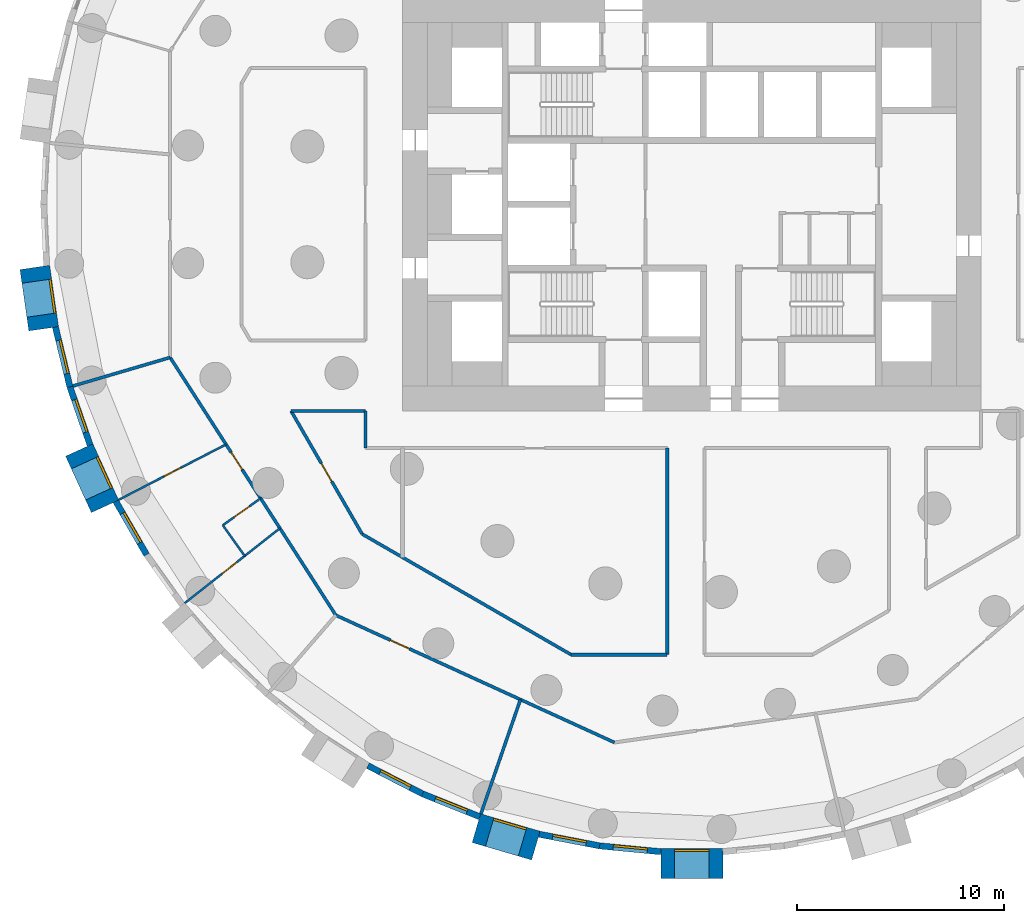
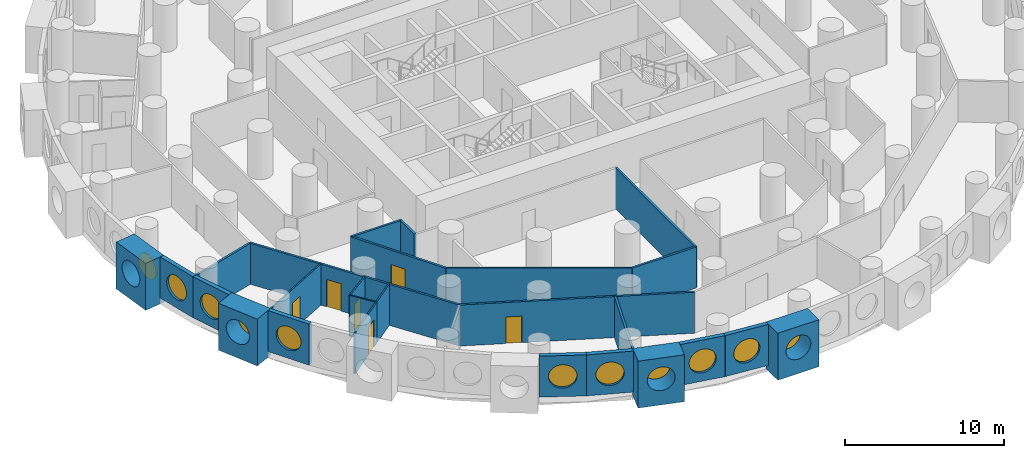
# One storey, part 3 of 12: 26 walls, 11 windows, 6 doors, 17 openings.
"""IFC4 building model written with IfcOpenShell, lengths in metres."""

from ifc_helpers import new_model, si_unit, direction, frame, frame_2d, origin, origin_2d, place, context, subcontext, project, spatial, rectangle, circle, extrude, material, layer, layer_set, type_object, element, fill, save


model = new_model("IFC4")

# Units and contexts
model_context = context("Model", 3, precision=1e-05, world=origin(), true_north=direction((0.0, 1.0)))
body_context = subcontext(model_context, "Body", "Model", "MODEL_VIEW")
ifc_project = project(units=[si_unit("LENGTHUNIT", "METRE"), si_unit("AREAUNIT", "SQUARE_METRE"), si_unit("VOLUMEUNIT", "CUBIC_METRE"), si_unit("PLANEANGLEUNIT", "RADIAN"), si_unit("MASSUNIT", "GRAM", prefix="KILO")], contexts=[model_context])

# Site, building, storey
site_placement = place(None, origin())
site = spatial("IfcSite", under=ifc_project, at=site_placement, CompositionType="ELEMENT")
building_placement = place(site_placement, origin())
building = spatial("IfcBuilding", under=site, at=building_placement, Name="Tracery Tower", CompositionType="ELEMENT")
storey_placement = place(building_placement, frame((0.0, 0.0, 49.800048828125)))
storey = spatial("IfcBuildingStorey", under=building, at=storey_placement, Name="L11", CompositionType="ELEMENT", Elevation=49.800048828125)

# Wall, opening, window
ifc_material_1 = material(Name="Precast concrete C50/60", Category="concrete")
ifc_layer_1 = layer(ifc_material_1, 1.449951171875)
ifc_layer_set_1 = layer_set([ifc_layer_1], Name="Deep-set bay unit 3000 x 3600, slab edge 450")
wall_type_1 = type_object("IfcWallType", Name="Deep-set bay unit 3000 x 3600, slab edge 450", PredefinedType="ELEMENTEDWALL", material=ifc_layer_set_1)
wall_1_placement = place(storey_placement, frame((-31.802490234375, -3.05712890625, -0.449951171875), z_axis=(0.0, 0.0, 1.0), x_axis=(0.142332746704, -0.989818866872, 0.0)))
wall_1 = element("IfcWall", 1, at=wall_1_placement, inside=storey, type_object=wall_type_1, Name="Deep-set bay unit 35 at L11", PredefinedType="ELEMENTEDWALL", context=body_context, shape_type="SweptSolid", body=[
    extrude(rectangle(XDim=3.0, YDim=1.449951171875, at=frame_2d((1.5, 0.0))), origin(), (0.0, 0.0, 1.0), 3.599853515625),
])
opening_1_placement = place(wall_1_placement, frame((1.5, 0.0, 2.0)))
opening_1 = element("IfcOpeningElement", 2, at=opening_1_placement, cuts=wall_1, Name="Opening WN1", PredefinedType="OPENING", context=body_context, shape_type="SweptSolid", body=[
    extrude(circle(Radius=0.9000244140625, at=origin_2d()), frame((0.0, 0.73486328125, 0.0), z_axis=(0.0, -1.0, 0.0), x_axis=(1.0, 0.0, 0.0)), (0.0, 0.0, 1.0), 1.469970703125),
])
ifc_material_2 = material(Name="Aluminium frame with tinted double glazing", Category="aluminium")
window_type = type_object("IfcWindowType", Name="Round window 1800", PartitioningType="SINGLE_PANEL", PredefinedType="WINDOW", material=ifc_material_2)
window_1_placement = place(opening_1_placement, origin())
window_1 = element("IfcWindow", 3, at=window_1_placement, inside=storey, type_object=window_type, Name="Round window 35 at L11", OverallHeight=1.800048828125, OverallWidth=1.800048828125, PartitioningType="SINGLE_PANEL", PredefinedType="WINDOW", context=body_context, shape_type="SweptSolid", body=[
    extrude(circle(Radius=0.9000244140625, at=origin_2d()), frame((0.0, 0.69482421875, 0.0), z_axis=(0.0, -1.0, 0.0), x_axis=(1.0, 0.0, 0.0)), (0.0, 0.0, 1.0), 0.10009765625),
])
fill(opening_1, window_1)

wall_2_placement = place(storey_placement, frame((-29.653076171875, -11.89306640625, -0.449951171875), z_axis=(0.0, 0.0, 1.0), x_axis=(0.415427028395, -0.909626508012, 0.0)))
wall_2 = element("IfcWall", 4, at=wall_2_placement, inside=storey, type_object=wall_type_1, Name="Deep-set bay unit 38 at L11", PredefinedType="ELEMENTEDWALL", context=body_context, shape_type="SweptSolid", body=[
    extrude(rectangle(XDim=3.000244140625, YDim=1.449951171875, at=frame_2d((1.5, 0.0))), origin(), (0.0, 0.0, 1.0), 3.599853515625),
])
opening_2_placement = place(wall_2_placement, frame((1.5, 0.0, 2.0)))
opening_2 = element("IfcOpeningElement", 5, at=opening_2_placement, cuts=wall_2, Name="Opening WN1", PredefinedType="OPENING", context=body_context, shape_type="SweptSolid", body=[
    extrude(circle(Radius=0.9000244140625, at=origin_2d()), frame((0.0, 0.73486328125, 0.0), z_axis=(0.0, -1.0, 0.0), x_axis=(1.0, 0.0, 0.0)), (0.0, 0.0, 1.0), 1.469970703125),
])
window_2_placement = place(opening_2_placement, origin())
window_2 = element("IfcWindow", 6, at=window_2_placement, inside=storey, type_object=window_type, Name="Round window 38 at L11", OverallHeight=1.800048828125, OverallWidth=1.800048828125, PartitioningType="SINGLE_PANEL", PredefinedType="WINDOW", context=body_context, shape_type="SweptSolid", body=[
    extrude(circle(Radius=0.9000244140625, at=origin_2d()), frame((0.0, 0.69482421875, 0.0), z_axis=(0.0, -1.0, 0.0), x_axis=(1.0, 0.0, 0.0)), (0.0, 0.0, 1.0), 0.10009765625),
])
fill(opening_2, window_2)

wall_3_placement = place(storey_placement, frame((-10.430419921875, -30.198486328125, -0.449951171875), z_axis=(0.0, 0.0, 1.0), x_axis=(0.959489813418, -0.281743319258, 0.0)))
wall_3 = element("IfcWall", 7, at=wall_3_placement, inside=storey, type_object=wall_type_1, Name="Deep-set bay unit 47 at L11", PredefinedType="ELEMENTEDWALL", context=body_context, shape_type="SweptSolid", body=[
    extrude(rectangle(XDim=3.0, YDim=1.449951171875, at=frame_2d((1.5, 0.0))), origin(), (0.0, 0.0, 1.0), 3.599853515625),
])
opening_3_placement = place(wall_3_placement, frame((1.5, 0.0, 2.0)))
opening_3 = element("IfcOpeningElement", 8, at=opening_3_placement, cuts=wall_3, Name="Opening WN1", PredefinedType="OPENING", context=body_context, shape_type="SweptSolid", body=[
    extrude(circle(Radius=0.9000244140625, at=origin_2d()), frame((0.0, 0.73486328125, 0.0), z_axis=(0.0, -1.0, 0.0), x_axis=(1.0, 0.0, 0.0)), (0.0, 0.0, 1.0), 1.469970703125),
])
window_3_placement = place(opening_3_placement, origin())
window_3 = element("IfcWindow", 9, at=window_3_placement, inside=storey, type_object=window_type, Name="Round window 47 at L11", OverallHeight=1.800048828125, OverallWidth=1.800048828125, PartitioningType="SINGLE_PANEL", PredefinedType="WINDOW", context=body_context, shape_type="SweptSolid", body=[
    extrude(circle(Radius=0.9000244140625, at=origin_2d()), frame((0.0, 0.69482421875, 0.0), z_axis=(0.0, -1.0, 0.0), x_axis=(1.0, 0.0, 0.0)), (0.0, 0.0, 1.0), 0.10009765625),
])
fill(opening_3, window_3)

wall_4_placement = place(storey_placement, frame((-1.5, -31.913818359375, -0.449951171875), z_axis=(0.0, 0.0, 1.0), x_axis=(1.0, 0.0, 0.0)))
wall_4 = element("IfcWall", 10, at=wall_4_placement, inside=storey, type_object=wall_type_1, Name="Deep-set bay unit 50 at L11", PredefinedType="ELEMENTEDWALL", context=body_context, shape_type="SweptSolid", body=[
    extrude(rectangle(XDim=3.0, YDim=1.449951171875, at=frame_2d((1.5, 0.0))), origin(), (0.0, 0.0, 1.0), 3.599853515625),
])
opening_4_placement = place(wall_4_placement, frame((1.5, 0.0, 2.0)))
opening_4 = element("IfcOpeningElement", 11, at=opening_4_placement, cuts=wall_4, Name="Opening WN1", PredefinedType="OPENING", context=body_context, shape_type="SweptSolid", body=[
    extrude(circle(Radius=0.9000244140625, at=origin_2d()), frame((0.0, 0.73486328125, 0.0), z_axis=(0.0, -1.0, 0.0), x_axis=(1.0, 0.0, 0.0)), (0.0, 0.0, 1.0), 1.469970703125),
])
window_4_placement = place(opening_4_placement, origin())
window_4 = element("IfcWindow", 12, at=window_4_placement, inside=storey, type_object=window_type, Name="Round window 50 at L11", OverallHeight=1.800048828125, OverallWidth=1.800048828125, PartitioningType="SINGLE_PANEL", PredefinedType="WINDOW", context=body_context, shape_type="SweptSolid", body=[
    extrude(circle(Radius=0.9000244140625, at=origin_2d()), frame((0.0, 0.69482421875, 0.0), z_axis=(0.0, -1.0, 0.0), x_axis=(1.0, 0.0, 0.0)), (0.0, 0.0, 1.0), 0.10009765625),
])
fill(opening_4, window_4)

ifc_material_3 = material(Name="Precast concrete C50/60", Category="concrete")
ifc_layer_2 = layer(ifc_material_3, 0.300048828125)
ifc_layer_set_2 = layer_set([ifc_layer_2], Name="Facade panel 3000 x 3150")
wall_type_2 = type_object("IfcWallType", Name="Facade panel 3000 x 3150", PredefinedType="SOLIDWALL", material=ifc_layer_set_2)
wall_5_placement = place(storey_placement, frame((-30.805908203125, -5.943603515625, 0.0), z_axis=(0.0, 0.0, 1.0), x_axis=(0.235743081534, -0.971815414319, 0.0)))
wall_5 = element("IfcWall", 13, at=wall_5_placement, inside=storey, type_object=wall_type_2, Name="Facade panel 36 at L11", PredefinedType="SOLIDWALL", context=body_context, shape_type="SweptSolid", body=[
    extrude(rectangle(XDim=2.9794921875, YDim=0.300048828125, at=frame_2d((1.48974609375, 0.0))), origin(), (0.0, 0.0, 1.0), 3.14990234375),
])
opening_5_placement = place(wall_5_placement, frame((1.48974609375, 0.0, 1.5498046875)))
opening_5 = element("IfcOpeningElement", 14, at=opening_5_placement, cuts=wall_5, Name="Opening WN1", PredefinedType="OPENING", context=body_context, shape_type="SweptSolid", body=[
    extrude(circle(Radius=0.9000244140625, at=origin_2d()), frame((0.0, 0.159912109375, 0.0), z_axis=(0.0, -1.0, 0.0), x_axis=(1.0, 0.0, 0.0)), (0.0, 0.0, 1.0), 0.320068359375),
])
window_5_placement = place(opening_5_placement, origin())
window_5 = element("IfcWindow", 15, at=window_5_placement, inside=storey, type_object=window_type, Name="Round window 36 at L11", OverallHeight=1.800048828125, OverallWidth=1.800048828125, PartitioningType="SINGLE_PANEL", PredefinedType="WINDOW", context=body_context, shape_type="SweptSolid", body=[
    extrude(circle(Radius=0.9000244140625, at=origin_2d()), frame((0.0, 0.1201171875, 0.0), z_axis=(0.0, -1.0, 0.0), x_axis=(1.0, 0.0, 0.0)), (0.0, 0.0, 1.0), 0.10009765625),
])
fill(opening_5, window_5)

wall_6_placement = place(storey_placement, frame((-30.103515625, -8.839111328125, 0.0), z_axis=(0.0, 0.0, 1.0), x_axis=(0.327071167136, -0.944999709856, 0.0)))
wall_6 = element("IfcWall", 16, at=wall_6_placement, inside=storey, type_object=wall_type_2, Name="Facade panel 37 at L11", PredefinedType="SOLIDWALL", context=body_context, shape_type="SweptSolid", body=[
    extrude(rectangle(XDim=2.979736328125, YDim=0.300048828125, at=frame_2d((1.48974609375, 0.0))), origin(), (0.0, 0.0, 1.0), 3.14990234375),
])
opening_6_placement = place(wall_6_placement, frame((1.48974609375, 0.0, 1.5498046875)))
opening_6 = element("IfcOpeningElement", 17, at=opening_6_placement, cuts=wall_6, Name="Opening WN1", PredefinedType="OPENING", context=body_context, shape_type="SweptSolid", body=[
    extrude(circle(Radius=0.9000244140625, at=origin_2d()), frame((0.0, 0.159912109375, 0.0), z_axis=(0.0, -1.0, 0.0), x_axis=(1.0, 0.0, 0.0)), (0.0, 0.0, 1.0), 0.320068359375),
])
window_6_placement = place(opening_6_placement, origin())
window_6 = element("IfcWindow", 18, at=window_6_placement, inside=storey, type_object=window_type, Name="Round window 37 at L11", OverallHeight=1.800048828125, OverallWidth=1.800048828125, PartitioningType="SINGLE_PANEL", PredefinedType="WINDOW", context=body_context, shape_type="SweptSolid", body=[
    extrude(circle(Radius=0.9000244140625, at=origin_2d()), frame((0.0, 0.1201171875, 0.0), z_axis=(0.0, -1.0, 0.0), x_axis=(1.0, 0.0, 0.0)), (0.0, 0.0, 1.0), 0.10009765625),
])
fill(opening_6, window_6)

wall_7_placement = place(storey_placement, frame((-27.8837890625, -14.3818359375, 0.0), z_axis=(0.0, 0.0, 1.0), x_axis=(0.500025049464, -0.866010940986, 0.0)))
wall_7 = element("IfcWall", 19, at=wall_7_placement, inside=storey, type_object=wall_type_2, Name="Facade panel 39 at L11", PredefinedType="SOLIDWALL", context=body_context, shape_type="SweptSolid", body=[
    extrude(rectangle(XDim=2.979736328125, YDim=0.300048828125, at=frame_2d((1.48974609375, 0.0))), origin(), (0.0, 0.0, 1.0), 3.14990234375),
])
opening_7_placement = place(wall_7_placement, frame((1.48974609375, 0.0, 1.5498046875)))
opening_7 = element("IfcOpeningElement", 20, at=opening_7_placement, cuts=wall_7, Name="Opening WN1", PredefinedType="OPENING", context=body_context, shape_type="SweptSolid", body=[
    extrude(circle(Radius=0.9000244140625, at=origin_2d()), frame((0.0, 0.159912109375, 0.0), z_axis=(0.0, -1.0, 0.0), x_axis=(1.0, 0.0, 0.0)), (0.0, 0.0, 1.0), 0.320068359375),
])
window_7_placement = place(opening_7_placement, origin())
window_7 = element("IfcWindow", 21, at=window_7_placement, inside=storey, type_object=window_type, Name="Round window 39 at L11", OverallHeight=1.800048828125, OverallWidth=1.800048828125, PartitioningType="SINGLE_PANEL", PredefinedType="WINDOW", context=body_context, shape_type="SweptSolid", body=[
    extrude(circle(Radius=0.9000244140625, at=origin_2d()), frame((0.0, 0.1201171875, 0.0), z_axis=(0.0, -1.0, 0.0), x_axis=(1.0, 0.0, 0.0)), (0.0, 0.0, 1.0), 0.10009765625),
])
fill(opening_7, window_7)

wall_8_placement = place(storey_placement, frame((-15.681884765625, -27.173828125, 0.0), z_axis=(0.0, 0.0, 1.0), x_axis=(0.888819853856, -0.458256770153, 0.0)))
wall_8 = element("IfcWall", 22, at=wall_8_placement, inside=storey, type_object=wall_type_2, Name="Facade panel 45 at L11", PredefinedType="SOLIDWALL", context=body_context, shape_type="SweptSolid", body=[
    extrude(rectangle(XDim=2.979736328125, YDim=0.300048828125, at=frame_2d((1.48974609375, 0.0))), origin(), (0.0, 0.0, 1.0), 3.14990234375),
])
opening_8_placement = place(wall_8_placement, frame((1.48974609375, 0.0, 1.5498046875)))
opening_8 = element("IfcOpeningElement", 23, at=opening_8_placement, cuts=wall_8, Name="Opening WN1", PredefinedType="OPENING", context=body_context, shape_type="SweptSolid", body=[
    extrude(circle(Radius=0.9000244140625, at=origin_2d()), frame((0.0, 0.159912109375, 0.0), z_axis=(0.0, -1.0, 0.0), x_axis=(1.0, 0.0, 0.0)), (0.0, 0.0, 1.0), 0.320068359375),
])
window_8_placement = place(opening_8_placement, origin())
window_8 = element("IfcWindow", 24, at=window_8_placement, inside=storey, type_object=window_type, Name="Round window 45 at L11", OverallHeight=1.800048828125, OverallWidth=1.800048828125, PartitioningType="SINGLE_PANEL", PredefinedType="WINDOW", context=body_context, shape_type="SweptSolid", body=[
    extrude(circle(Radius=0.9000244140625, at=origin_2d()), frame((0.0, 0.1201171875, 0.0), z_axis=(0.0, -1.0, 0.0), x_axis=(1.0, 0.0, 0.0)), (0.0, 0.0, 1.0), 0.10009765625),
])
fill(opening_8, window_8)

wall_9_placement = place(storey_placement, frame((-13.033447265625, -28.539306640625, 0.0), z_axis=(0.0, 0.0, 1.0), x_axis=(0.928403213937, -0.371574316054, 0.0)))
wall_9 = element("IfcWall", 25, at=wall_9_placement, inside=storey, type_object=wall_type_2, Name="Facade panel 46 at L11", PredefinedType="SOLIDWALL", context=body_context, shape_type="SweptSolid", body=[
    extrude(rectangle(XDim=2.979736328125, YDim=0.300048828125, at=frame_2d((1.48974609375, 0.0))), origin(), (0.0, 0.0, 1.0), 3.14990234375),
])
opening_9_placement = place(wall_9_placement, frame((1.48974609375, 0.0, 1.5498046875)))
opening_9 = element("IfcOpeningElement", 26, at=opening_9_placement, cuts=wall_9, Name="Opening WN1", PredefinedType="OPENING", context=body_context, shape_type="SweptSolid", body=[
    extrude(circle(Radius=0.9000244140625, at=origin_2d()), frame((0.0, 0.159912109375, 0.0), z_axis=(0.0, -1.0, 0.0), x_axis=(1.0, 0.0, 0.0)), (0.0, 0.0, 1.0), 0.320068359375),
])
window_9_placement = place(opening_9_placement, origin())
window_9 = element("IfcWindow", 27, at=window_9_placement, inside=storey, type_object=window_type, Name="Round window 46 at L11", OverallHeight=1.800048828125, OverallWidth=1.800048828125, PartitioningType="SINGLE_PANEL", PredefinedType="WINDOW", context=body_context, shape_type="SweptSolid", body=[
    extrude(circle(Radius=0.9000244140625, at=origin_2d()), frame((0.0, 0.1201171875, 0.0), z_axis=(0.0, -1.0, 0.0), x_axis=(1.0, 0.0, 0.0)), (0.0, 0.0, 1.0), 0.10009765625),
])
fill(opening_9, window_9)

wall_10_placement = place(storey_placement, frame((-7.390869140625, -30.4912109375, 0.0), z_axis=(0.0, 0.0, 1.0), x_axis=(0.981924535406, -0.189272836848, 0.0)))
wall_10 = element("IfcWall", 28, at=wall_10_placement, inside=storey, type_object=wall_type_2, Name="Facade panel 48 at L11", PredefinedType="SOLIDWALL", context=body_context, shape_type="SweptSolid", body=[
    extrude(rectangle(XDim=2.979736328125, YDim=0.300048828125, at=frame_2d((1.48974609375, 0.0))), origin(), (0.0, 0.0, 1.0), 3.14990234375),
])
opening_10_placement = place(wall_10_placement, frame((1.48974609375, 0.0, 1.5498046875)))
opening_10 = element("IfcOpeningElement", 29, at=opening_10_placement, cuts=wall_10, Name="Opening WN1", PredefinedType="OPENING", context=body_context, shape_type="SweptSolid", body=[
    extrude(circle(Radius=0.9000244140625, at=origin_2d()), frame((0.0, 0.159912109375, 0.0), z_axis=(0.0, -1.0, 0.0), x_axis=(1.0, 0.0, 0.0)), (0.0, 0.0, 1.0), 0.320068359375),
])
window_10_placement = place(opening_10_placement, origin())
window_10 = element("IfcWindow", 30, at=window_10_placement, inside=storey, type_object=window_type, Name="Round window 48 at L11", OverallHeight=1.800048828125, OverallWidth=1.800048828125, PartitioningType="SINGLE_PANEL", PredefinedType="WINDOW", context=body_context, shape_type="SweptSolid", body=[
    extrude(circle(Radius=0.9000244140625, at=origin_2d()), frame((0.0, 0.1201171875, 0.0), z_axis=(0.0, -1.0, 0.0), x_axis=(1.0, 0.0, 0.0)), (0.0, 0.0, 1.0), 0.10009765625),
])
fill(opening_10, window_10)

wall_11_placement = place(storey_placement, frame((-4.465087890625, -31.05517578125, 0.0), z_axis=(0.0, 0.0, 1.0), x_axis=(0.995473351551, -0.095041077185, 0.0)))
wall_11 = element("IfcWall", 31, at=wall_11_placement, inside=storey, type_object=wall_type_2, Name="Facade panel 49 at L11", PredefinedType="SOLIDWALL", context=body_context, shape_type="SweptSolid", body=[
    extrude(rectangle(XDim=2.979736328125, YDim=0.300048828125, at=frame_2d((1.48974609375, 0.0))), origin(), (0.0, 0.0, 1.0), 3.14990234375),
])
opening_11_placement = place(wall_11_placement, frame((1.48974609375, 0.0, 1.5498046875)))
opening_11 = element("IfcOpeningElement", 32, at=opening_11_placement, cuts=wall_11, Name="Opening WN1", PredefinedType="OPENING", context=body_context, shape_type="SweptSolid", body=[
    extrude(circle(Radius=0.9000244140625, at=origin_2d()), frame((0.0, 0.159912109375, 0.0), z_axis=(0.0, -1.0, 0.0), x_axis=(1.0, 0.0, 0.0)), (0.0, 0.0, 1.0), 0.320068359375),
])
window_11_placement = place(opening_11_placement, origin())
window_11 = element("IfcWindow", 33, at=window_11_placement, inside=storey, type_object=window_type, Name="Round window 49 at L11", OverallHeight=1.800048828125, OverallWidth=1.800048828125, PartitioningType="SINGLE_PANEL", PredefinedType="WINDOW", context=body_context, shape_type="SweptSolid", body=[
    extrude(circle(Radius=0.9000244140625, at=origin_2d()), frame((0.0, 0.1201171875, 0.0), z_axis=(0.0, -1.0, 0.0), x_axis=(1.0, 0.0, 0.0)), (0.0, 0.0, 1.0), 0.10009765625),
])
fill(opening_11, window_11)

# Wall, opening, door
ifc_material_4 = material(Name="Plasterboard on steel studs", Category="steel")
ifc_layer_3 = layer(ifc_material_4, 0.10009765625)
ifc_layer_set_3 = layer_set([ifc_layer_3], Name="Partition 100 stud")
wall_type_3 = type_object("IfcWallType", Name="Partition 100 stud", PredefinedType="PARTITIONING", material=ifc_layer_set_3)
wall_12_placement = place(storey_placement, frame((-27.7529296875, -14.30810546875, 0.0), z_axis=(0.0, 0.0, 1.0), x_axis=(0.88877955153, 0.45833493079, 0.0)))
wall_12 = element("IfcWall", 34, at=wall_12_placement, inside=storey, type_object=wall_type_3, Name="Stud partition RA3-094", PredefinedType="PARTITIONING", context=body_context, shape_type="SweptSolid", body=[
    extrude(rectangle(XDim=5.856201171875, YDim=0.10009765625, at=frame_2d((2.92822265625, 0.0))), origin(), (0.0, 0.0, 1.0), 3.14990234375),
])
opening_12_placement = place(wall_12_placement, frame((2.47802734375, 0.0, 0.0)))
opening_12 = element("IfcOpeningElement", 35, at=opening_12_placement, cuts=wall_12, Name="Opening RA3-34", PredefinedType="OPENING", context=body_context, shape_type="SweptSolid", body=[
    extrude(rectangle(XDim=0.89990234375, YDim=2.10009765625, at=frame_2d((0.449951171875, 1.050048828125))), frame((0.0, 0.050048828125, 0.0), z_axis=(0.0, -1.0, 0.0), x_axis=(1.0, 0.0, 0.0)), (0.0, 0.0, 1.0), 0.10009765625),
])
ifc_material_5 = material(Name="Timber door leaf", Category="wood")
door_type_1 = type_object("IfcDoorType", Name="Door bedroom 900", OperationType="NOTDEFINED", PredefinedType="DOOR", material=ifc_material_5)
door_1_placement = place(opening_12_placement, origin())
door_1 = element("IfcDoor", 36, at=door_1_placement, inside=storey, type_object=door_type_1, Name="Bedroom door RA3-34", OperationType="SINGLE_SWING_LEFT", OverallHeight=2.10009765625, OverallWidth=0.89990234375, PredefinedType="DOOR", context=body_context, shape_type="SweptSolid", body=[
    extrude(rectangle(XDim=0.89990234375, YDim=2.10009765625, at=frame_2d((0.449951171875, 1.050048828125))), frame((0.0, 0.02490234375, 0.0), z_axis=(0.0, -1.0, 0.0), x_axis=(1.0, 0.0, 0.0)), (0.0, 0.0, 1.0), 0.050048828125),
])
fill(opening_12, door_1)

wall_13_placement = place(storey_placement, frame((-24.5439453125, -19.302001953125, 0.0), z_axis=(0.0, 0.0, 1.0), x_axis=(0.785987576403, 0.618242290481, 0.0)))
wall_13 = element("IfcWall", 37, at=wall_13_placement, inside=storey, type_object=wall_type_3, Name="Stud partition RA3-095", PredefinedType="PARTITIONING", context=body_context, shape_type="SweptSolid", body=[
    extrude(rectangle(XDim=3.689453125, YDim=0.10009765625, at=frame_2d((1.8447265625, 0.0))), origin(), (0.0, 0.0, 1.0), 3.14990234375),
])
opening_13_placement = place(wall_13_placement, frame((2.294677734375, 0.0, 0.0)))
opening_13 = element("IfcOpeningElement", 38, at=opening_13_placement, cuts=wall_13, Name="Opening RA3-35", PredefinedType="OPENING", context=body_context, shape_type="SweptSolid", body=[
    extrude(rectangle(XDim=0.89990234375, YDim=2.10009765625, at=frame_2d((0.449951171875, 1.050048828125))), frame((0.0, 0.050048828125, 0.0), z_axis=(0.0, -1.0, 0.0), x_axis=(1.0, 0.0, 0.0)), (0.0, 0.0, 1.0), 0.10009765625),
])
door_2_placement = place(opening_13_placement, origin())
door_2 = element("IfcDoor", 39, at=door_2_placement, inside=storey, type_object=door_type_1, Name="Bedroom door RA3-35", OperationType="SINGLE_SWING_LEFT", OverallHeight=2.10009765625, OverallWidth=0.89990234375, PredefinedType="DOOR", context=body_context, shape_type="SweptSolid", body=[
    extrude(rectangle(XDim=0.89990234375, YDim=2.10009765625, at=frame_2d((0.449951171875, 1.050048828125))), frame((0.0, 0.02490234375, 0.0), z_axis=(0.0, -1.0, 0.0), x_axis=(1.0, 0.0, 0.0)), (0.0, 0.0, 1.0), 0.050048828125),
])
fill(opening_13, door_2)

ifc_material_6 = material(Name="Plasterboard on steel studs", Category="steel")
ifc_layer_4 = layer(ifc_material_6, 0.10009765625)
ifc_layer_set_4 = layer_set([ifc_layer_4], Name="Partition 100 wet wall")
wall_type_4 = type_object("IfcWallType", Name="Partition 100 wet wall", PredefinedType="PARTITIONING", material=ifc_layer_set_4)
wall_14_placement = place(storey_placement, frame((-22.702880859375, -15.534912109375, 0.0), z_axis=(0.0, 0.0, 1.0), x_axis=(0.814525331415, 0.580127989743, 0.0)))
wall_14 = element("IfcWall", 40, at=wall_14_placement, inside=storey, type_object=wall_type_4, Name="Wet wall RA3-096", PredefinedType="PARTITIONING", context=body_context, shape_type="SweptSolid", body=[
    extrude(rectangle(XDim=2.247802734375, YDim=0.10009765625, at=frame_2d((1.1240234375, 0.0))), origin(), (0.0, 0.0, 1.0), 3.14990234375),
])
opening_14_placement = place(wall_14_placement, frame((0.673828125, 0.0, 0.0)))
opening_14 = element("IfcOpeningElement", 41, at=opening_14_placement, cuts=wall_14, Name="Opening RA3-36", PredefinedType="OPENING", context=body_context, shape_type="SweptSolid", body=[
    extrude(rectangle(XDim=0.89990234375, YDim=2.0, at=frame_2d((0.449951171875, 1.0))), frame((0.0, 0.050048828125, 0.0), z_axis=(0.0, -1.0, 0.0), x_axis=(1.0, 0.0, 0.0)), (0.0, 0.0, 1.0), 0.10009765625),
])
ifc_material_7 = material(Name="Timber door leaf", Category="wood")
door_type_2 = type_object("IfcDoorType", Name="Door shower room 900", OperationType="NOTDEFINED", PredefinedType="DOOR", material=ifc_material_7)
door_3_placement = place(opening_14_placement, origin())
door_3 = element("IfcDoor", 42, at=door_3_placement, inside=storey, type_object=door_type_2, Name="Shower room door RA3-36", OperationType="SINGLE_SWING_RIGHT", OverallHeight=2.0, OverallWidth=0.89990234375, PredefinedType="DOOR", context=body_context, shape_type="SweptSolid", body=[
    extrude(rectangle(XDim=0.89990234375, YDim=2.0, at=frame_2d((0.449951171875, 1.0))), frame((0.0, 0.02490234375, 0.0), z_axis=(0.0, -1.0, 0.0), x_axis=(1.0, 0.0, 0.0)), (0.0, 0.0, 1.0), 0.050048828125),
])
fill(opening_14, door_3)

# Walls
wall_15_placement = place(storey_placement, frame((-22.702880859375, -15.534912109375, 0.0), z_axis=(0.0, 0.0, 1.0), x_axis=(0.580275898497, -0.814419966371, 0.0)))
element("IfcWall", 43, at=wall_15_placement, inside=storey, type_object=wall_type_4, Name="Wet wall RA3-097", PredefinedType="PARTITIONING", context=body_context, shape_type="SweptSolid", body=[
    extrude(rectangle(XDim=1.82470703125, YDim=0.10009765625, at=frame_2d((0.912353515625, 0.0))), origin(), (0.0, 0.0, 1.0), 3.14990234375),
])
wall_16_placement = place(storey_placement, frame((-21.64697265625, -17.02294921875, 0.0), z_axis=(0.0, 0.0, 1.0), x_axis=(0.786138836794, 0.618049940769, 0.0)))
element("IfcWall", 44, at=wall_16_placement, inside=storey, type_object=wall_type_4, Name="Wet wall RA3-098", PredefinedType="PARTITIONING", context=body_context, shape_type="SweptSolid", body=[
    extrude(rectangle(XDim=2.17138671875, YDim=0.10009765625, at=frame_2d((1.085693359375, 0.0))), origin(), (0.0, 0.0, 1.0), 3.14990234375),
])
ifc_material_8 = material(Name="Plasterboard on steel studs", Category="steel")
ifc_layer_5 = layer(ifc_material_8, 0.14990234375)
ifc_layer_set_5 = layer_set([ifc_layer_5], Name="Partition 150 acoustic unit wall")
wall_type_5 = type_object("IfcWallType", Name="Partition 150 acoustic unit wall", PredefinedType="PARTITIONING", material=ifc_layer_set_5)
wall_17_placement = place(storey_placement, frame((-29.958984375, -8.797119140625, 0.0), z_axis=(0.0, 0.0, 1.0), x_axis=(0.959478767209, 0.281780934902, 0.0)))
element("IfcWall", 45, at=wall_17_placement, inside=storey, type_object=wall_type_5, Name="Unit wall RA3-093", PredefinedType="PARTITIONING", context=body_context, shape_type="SweptSolid", body=[
    extrude(rectangle(XDim=4.90478515625, YDim=0.14990234375, at=frame_2d((2.452392578125, 0.0))), origin(), (0.0, 0.0, 1.0), 3.14990234375),
])
wall_18_placement = place(storey_placement, frame((-10.2119140625, -29.507080078125, 0.0), z_axis=(0.0, 0.0, 1.0), x_axis=(0.32692444056, 0.94505048022, 0.0)))
element("IfcWall", 46, at=wall_18_placement, inside=storey, type_object=wall_type_5, Name="Unit wall RA3-100", PredefinedType="PARTITIONING", context=body_context, shape_type="SweptSolid", body=[
    extrude(rectangle(XDim=5.85693359375, YDim=0.14990234375, at=frame_2d((2.928466796875, 0.0))), origin(), (0.0, 0.0, 1.0), 3.14990234375),
])
ifc_material_9 = material(Name="Plasterboard on steel studs", Category="steel")
ifc_layer_6 = layer(ifc_material_9, 0.14990234375)
ifc_layer_set_6 = layer_set([ifc_layer_6], Name="Partition 150 corridor wall")
wall_type_6 = type_object("IfcWallType", Name="Partition 150 corridor wall", PredefinedType="PARTITIONING", material=ifc_layer_set_6)
wall_19_placement = place(storey_placement, frame((-15.800048828125, -11.800048828125, 0.0), z_axis=(0.0, 0.0, 1.0), x_axis=(0.0, 1.0, 0.0)))
element("IfcWall", 47, at=wall_19_placement, inside=storey, type_object=wall_type_6, Name="Corridor wall RA3-009", PredefinedType="PARTITIONING", context=body_context, shape_type="SweptSolid", body=[
    extrude(rectangle(XDim=1.800048828125, YDim=0.14990234375, at=frame_2d((0.89990234375, 0.0))), origin(), (0.0, 0.0, 1.0), 3.14990234375),
])
wall_20_placement = place(storey_placement, frame((-19.40087890625, -10.0, 0.0), z_axis=(0.0, 0.0, 1.0), x_axis=(1.0, 0.0, 0.0)))
element("IfcWall", 48, at=wall_20_placement, inside=storey, type_object=wall_type_6, Name="Corridor wall RA3-043", PredefinedType="PARTITIONING", context=body_context, shape_type="SweptSolid", body=[
    extrude(rectangle(XDim=3.600830078125, YDim=0.14990234375, at=frame_2d((1.80029296875, 0.0))), origin(), (0.0, 0.0, 1.0), 3.14990234375),
])

# Wall, opening, door
wall_21_placement = place(storey_placement, frame((-19.40087890625, -10.0, 0.0), z_axis=(0.0, 0.0, 1.0), x_axis=(0.499992689227, -0.86602962462, 0.0)))
wall_21 = element("IfcWall", 49, at=wall_21_placement, inside=storey, type_object=wall_type_6, Name="Corridor wall RA3-044", PredefinedType="PARTITIONING", context=body_context, shape_type="SweptSolid", body=[
    extrude(rectangle(XDim=6.8818359375, YDim=0.14990234375, at=frame_2d((3.44091796875, 0.0))), origin(), (0.0, 0.0, 1.0), 3.14990234375),
])
opening_15_placement = place(wall_21_placement, frame((2.94091796875, 0.0, 0.0)))
opening_15 = element("IfcOpeningElement", 50, at=opening_15_placement, cuts=wall_21, Name="Opening RA3-10", PredefinedType="OPENING", context=body_context, shape_type="SweptSolid", body=[
    extrude(rectangle(XDim=1.0, YDim=2.0400390625, at=frame_2d((0.5, 1.02001953125))), frame((0.0, 0.074951171875, 0.0), z_axis=(0.0, -1.0, 0.0), x_axis=(1.0, 0.0, 0.0)), (0.0, 0.0, 1.0), 0.14990234375),
])
ifc_material_10 = material(Name="Timber door leaf", Category="wood")
door_type_3 = type_object("IfcDoorType", Name="Door communal room 1000", OperationType="NOTDEFINED", PredefinedType="DOOR", material=ifc_material_10)
door_4_placement = place(opening_15_placement, origin())
door_4 = element("IfcDoor", 51, at=door_4_placement, inside=storey, type_object=door_type_3, Name="Communal room door RA3-10", OperationType="SINGLE_SWING_LEFT", OverallHeight=2.0400390625, OverallWidth=1.0, PredefinedType="DOOR", context=body_context, shape_type="SweptSolid", body=[
    extrude(rectangle(XDim=1.0, YDim=2.0400390625, at=frame_2d((0.5, 1.02001953125))), frame((0.0, 0.02490234375, 0.0), z_axis=(0.0, -1.0, 0.0), x_axis=(1.0, 0.0, 0.0)), (0.0, 0.0, 1.0), 0.050048828125),
])
fill(opening_15, door_4)

wall_22_placement = place(storey_placement, frame((-25.252685546875, -7.414794921875, 0.0), z_axis=(0.0, 0.0, 1.0), x_axis=(0.540667724156, -0.841236240337, 0.0)))
wall_22 = element("IfcWall", 52, at=wall_22_placement, inside=storey, type_object=wall_type_6, Name="Corridor wall RA3-046", PredefinedType="PARTITIONING", context=body_context, shape_type="SweptSolid", body=[
    extrude(rectangle(XDim=14.82958984375, YDim=0.14990234375, at=frame_2d((7.414794921875, 0.0))), origin(), (0.0, 0.0, 1.0), 3.14990234375),
])
opening_16_placement = place(wall_22_placement, frame((5.4521484375, 0.0, 0.0)))
opening_16 = element("IfcOpeningElement", 53, at=opening_16_placement, cuts=wall_22, Name="Opening RA3-37", PredefinedType="OPENING", context=body_context, shape_type="SweptSolid", body=[
    extrude(rectangle(XDim=1.0, YDim=2.10009765625, at=frame_2d((0.5, 1.050048828125))), frame((0.0, 0.074951171875, 0.0), z_axis=(0.0, -1.0, 0.0), x_axis=(1.0, 0.0, 0.0)), (0.0, 0.0, 1.0), 0.14990234375),
])
ifc_material_11 = material(Name="Timber door leaf", Category="wood")
door_type_4 = type_object("IfcDoorType", Name="Door unit entrance 1000", OperationType="NOTDEFINED", PredefinedType="DOOR", material=ifc_material_11)
door_5_placement = place(opening_16_placement, origin())
door_5 = element("IfcDoor", 54, at=door_5_placement, inside=storey, type_object=door_type_4, Name="Unit entrance door RA3-37", OperationType="SINGLE_SWING_RIGHT", OverallHeight=2.10009765625, OverallWidth=1.0, PredefinedType="DOOR", context=body_context, shape_type="SweptSolid", body=[
    extrude(rectangle(XDim=1.0, YDim=2.10009765625, at=frame_2d((0.5, 1.050048828125))), frame((0.0, 0.02490234375, 0.0), z_axis=(0.0, -1.0, 0.0), x_axis=(1.0, 0.0, 0.0)), (0.0, 0.0, 1.0), 0.050048828125),
])
fill(opening_16, door_5)

# Walls
wall_23_placement = place(storey_placement, frame((-15.960205078125, -15.960205078125, 0.0), z_axis=(0.0, 0.0, 1.0), x_axis=(0.866022730501, -0.500004630234, 0.0)))
element("IfcWall", 55, at=wall_23_placement, inside=storey, type_object=wall_type_6, Name="Corridor wall RA3-047", PredefinedType="PARTITIONING", context=body_context, shape_type="SweptSolid", body=[
    extrude(rectangle(XDim=11.68359375, YDim=0.14990234375, at=frame_2d((5.841796875, 0.0))), origin(), (0.0, 0.0, 1.0), 3.14990234375),
])
wall_24_placement = place(storey_placement, frame((-5.842041015625, -21.802001953125, 0.0), z_axis=(0.0, 0.0, 1.0), x_axis=(1.0, 0.0, 0.0)))
element("IfcWall", 56, at=wall_24_placement, inside=storey, type_object=wall_type_6, Name="Corridor wall RA3-048", PredefinedType="PARTITIONING", context=body_context, shape_type="SweptSolid", body=[
    extrude(rectangle(XDim=4.650146484375, YDim=0.14990234375, at=frame_2d((2.3251953125, 0.0))), origin(), (0.0, 0.0, 1.0), 3.14990234375),
])
wall_25_placement = place(storey_placement, frame((-1.19189453125, -21.802001953125, 0.0), z_axis=(0.0, 0.0, 1.0), x_axis=(0.0, 1.0, 0.0)))
element("IfcWall", 57, at=wall_25_placement, inside=storey, type_object=wall_type_6, Name="Corridor wall RA3-049", PredefinedType="PARTITIONING", context=body_context, shape_type="SweptSolid", body=[
    extrude(rectangle(XDim=10.001953125, YDim=0.14990234375, at=frame_2d((5.0009765625, 0.0))), origin(), (0.0, 0.0, 1.0), 3.14990234375),
])

# Wall, opening, door
wall_26_placement = place(storey_placement, frame((-17.235107421875, -19.889892578125, 0.0), z_axis=(0.0, 0.0, 1.0), x_axis=(0.909617953634, -0.415445758705, 0.0)))
wall_26 = element("IfcWall", 58, at=wall_26_placement, inside=storey, type_object=wall_type_6, Name="Corridor wall RA3-056", PredefinedType="PARTITIONING", context=body_context, shape_type="SweptSolid", body=[
    extrude(rectangle(XDim=14.82958984375, YDim=0.14990234375, at=frame_2d((7.414794921875, 0.0))), origin(), (0.0, 0.0, 1.0), 3.14990234375),
])
opening_17_placement = place(wall_26_placement, frame((2.91552734375, 0.0, 0.0)))
opening_17 = element("IfcOpeningElement", 59, at=opening_17_placement, cuts=wall_26, Name="Opening RA3-38", PredefinedType="OPENING", context=body_context, shape_type="SweptSolid", body=[
    extrude(rectangle(XDim=1.0, YDim=2.0400390625, at=frame_2d((0.5, 1.02001953125))), frame((0.0, 0.074951171875, 0.0), z_axis=(0.0, -1.0, 0.0), x_axis=(1.0, 0.0, 0.0)), (0.0, 0.0, 1.0), 0.14990234375),
])
door_6_placement = place(opening_17_placement, origin())
door_6 = element("IfcDoor", 60, at=door_6_placement, inside=storey, type_object=door_type_3, Name="Communal room door RA3-38", OperationType="SINGLE_SWING_RIGHT", OverallHeight=2.0400390625, OverallWidth=1.0, PredefinedType="DOOR", context=body_context, shape_type="SweptSolid", body=[
    extrude(rectangle(XDim=1.0, YDim=2.0400390625, at=frame_2d((0.5, 1.02001953125))), frame((0.0, 0.02490234375, 0.0), z_axis=(0.0, -1.0, 0.0), x_axis=(1.0, 0.0, 0.0)), (0.0, 0.0, 1.0), 0.050048828125),
])
fill(opening_17, door_6)

save(model, "model.ifc")
